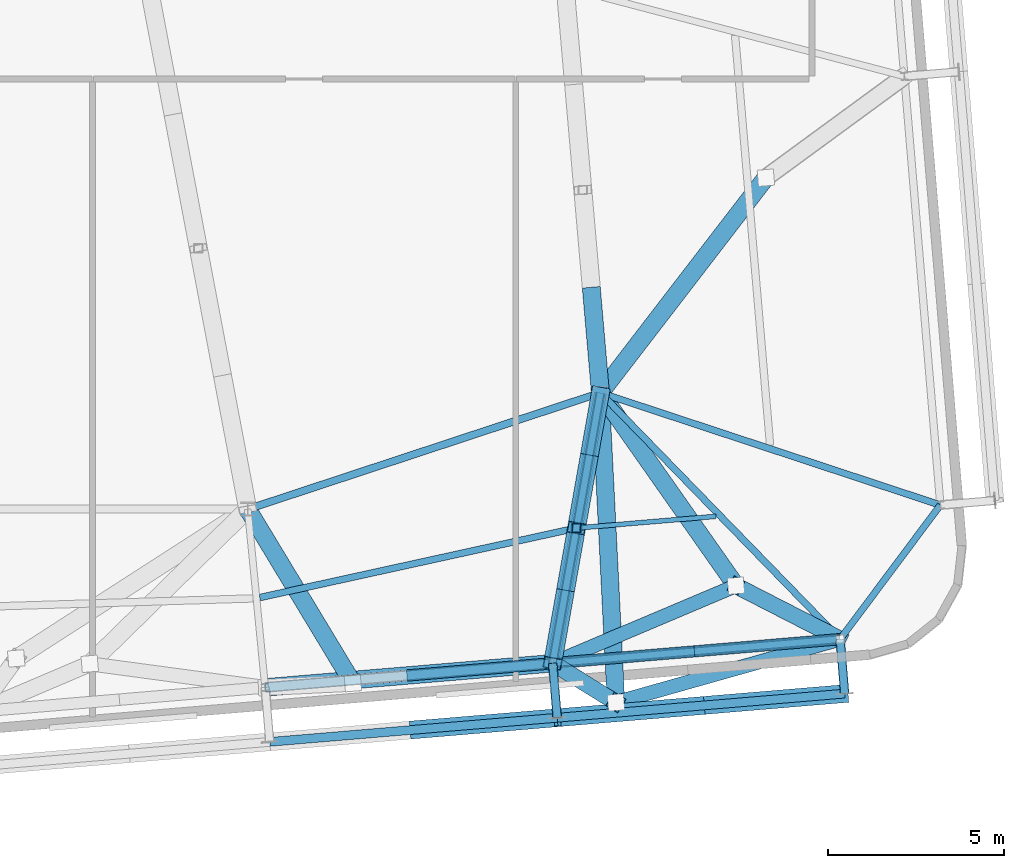
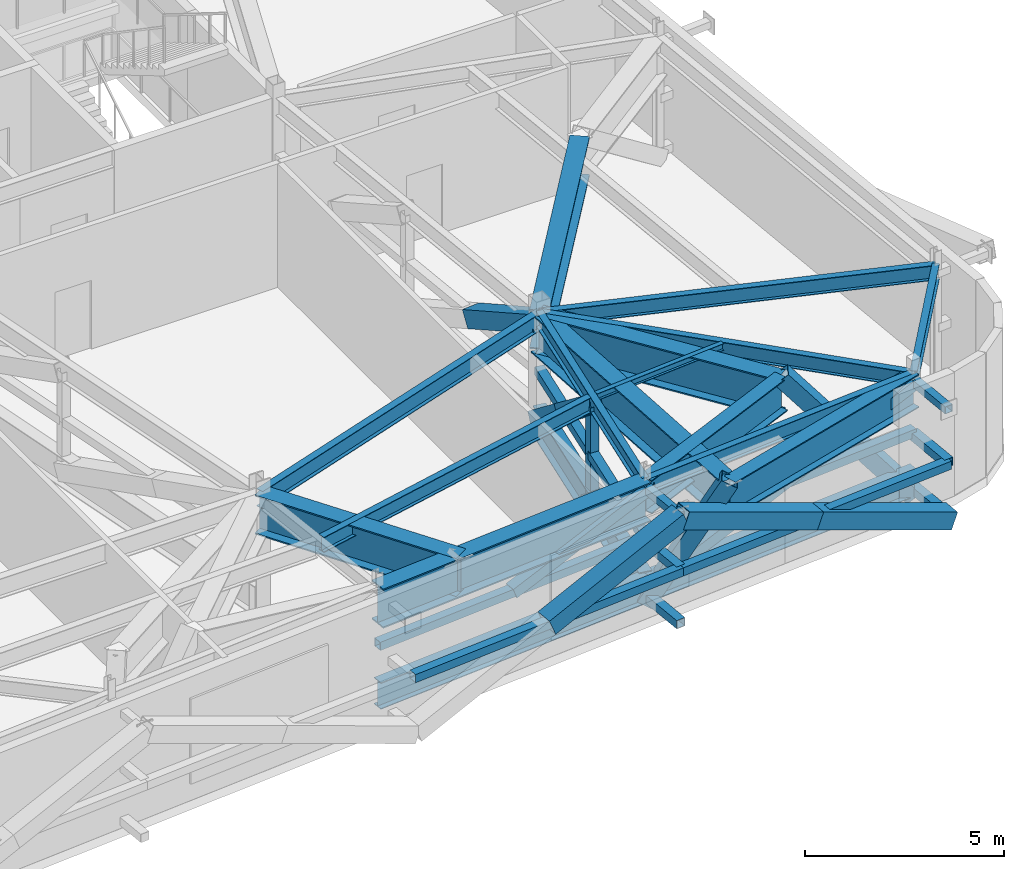
# One storey, part 11 of 26: 29 members, 15 beams.
"""IFC4 building model written with IfcOpenShell, lengths in metres."""

from ifc_helpers import new_model, si_unit, direction, frame, origin, origin_2d, place, context, subcontext, project, spatial, hollow_rectangle, i_section, extrude, source, transform, mapped, material, material_profile, profile_set, type_object, element, save


model = new_model("IFC4")

# Units and contexts
model_context = context("Model", 3, precision=1e-05, world=origin(), true_north=direction((0.0, 1.0)))
body_context = subcontext(model_context, "Body", "Model", "MODEL_VIEW")
ifc_project = project(units=[si_unit("LENGTHUNIT", "METRE"), si_unit("AREAUNIT", "SQUARE_METRE"), si_unit("VOLUMEUNIT", "CUBIC_METRE"), si_unit("PLANEANGLEUNIT", "RADIAN"), si_unit("MASSUNIT", "GRAM", prefix="KILO")], contexts=[model_context])

# Site, building, storey
site_placement = place(None, origin())
site = spatial("IfcSite", under=ifc_project, at=site_placement, CompositionType="ELEMENT")
building_placement = place(site_placement, origin())
building = spatial("IfcBuilding", under=site, at=building_placement, Name="Taldren Reach Tower", CompositionType="ELEMENT")
storey_placement = place(building_placement, frame((0.0, 0.0, 207.199951171875)))
storey = spatial("IfcBuildingStorey", under=building, at=storey_placement, Name="L63", CompositionType="ELEMENT", Elevation=207.199951171875)

# Beam
ifc_material_1 = material(Name="Steel Gr 350 (350PLUS)", Category="steel")
ifc_material_profile_1 = material_profile(ifc_material_1, i_section(OverallWidth=0.208984375, OverallDepth=0.532958984375, WebThickness=0.01025390625, FlangeThickness=0.015625, at=origin_2d()), Name="530UB92.4")
ifc_profile_set_1 = profile_set([ifc_material_profile_1], Name="Steel Gr 350 (350PLUS)")
beam_type_1 = type_object("IfcBeamType", Name="BM-UB530A", PredefinedType="BEAM", material=ifc_profile_set_1)
shared_shape_1 = source(origin(), body_context, "Body", "SweptSolid", [
    extrude(i_section(OverallWidth=0.208984375, OverallDepth=0.532958984375, WebThickness=0.01025390625, FlangeThickness=0.015625, at=origin_2d()), origin(), (0.0, 0.0, 1.0), 10.530517578125),
])
beam_1_placement = place(storey_placement, frame((42.0, 9.199951171875, 3.513427734375), z_axis=(0.949627269203, 0.313381635689, 0.0), x_axis=(-0.313381635689, 0.949627269203, 0.0)))
element("IfcBeam", 1, at=beam_1_placement, inside=storey, type_object=beam_type_1, Name="Core-spine girder L63-SP12", PredefinedType="BEAM", context=body_context, shape_type="MappedRepresentation", body=[
    mapped(shared_shape_1, transform((0.0, 0.0, 0.0), scale=1.0)),
])

# Members
ifc_material_2 = material(Name="Steel Gr 350 (C350L0)", Category="steel")
ifc_material_profile_2 = material_profile(ifc_material_2, hollow_rectangle(XDim=0.25, YDim=0.25, WallThickness=0.010009765625, at=origin_2d()), Name="250x250x10.0SHS")
ifc_profile_set_2 = profile_set([ifc_material_profile_2], Name="Steel Gr 350 (C350L0)")
member_type_1 = type_object("IfcMemberType", Name="MB-POST250", PredefinedType="POST", material=ifc_profile_set_2)
shared_shape_2 = source(origin(), body_context, "Body", "SweptSolid", [
    extrude(hollow_rectangle(XDim=0.25, YDim=0.25, WallThickness=0.010009765625, at=origin_2d()), origin(), (0.0, 0.0, 1.0), 1.5498046875),
])
for number, where, z_axis, x_axis, name in (
    (2, (58.796142578125, 5.516357421875, 0.219970703125), (0.083801560254, -0.996482462715, 0.0), (0.996482462715, 0.083801560254, 0.0), "Exoskeleton base diaphragm tie strut B4-S6 L63"),
    (3, (58.796142578125, 5.516357421875, 1.860107421875), (0.083801560254, -0.996482462715, 0.0), (0.996482462715, 0.083801560254, 0.0), "Exoskeleton mid-tier diaphragm tie B4-S6 L63"),
):
    element("IfcMember", number, at=place(storey_placement, frame(where, z_axis=z_axis, x_axis=x_axis)), inside=storey, type_object=member_type_1, Name=name, PredefinedType="POST", context=body_context, shape_type="MappedRepresentation", body=[
        mapped(shared_shape_2, transform((0.0, 0.0, 0.0), scale=1.0)),
    ])
shared_shape_3 = source(origin(), body_context, "Body", "SweptSolid", [
    extrude(hollow_rectangle(XDim=0.25, YDim=0.25, WallThickness=0.010009765625, at=origin_2d()), origin(), (0.0, 0.0, 1.0), 1.5048828125),
])
member_1_placement = place(storey_placement, frame((51.322509765625, 8.666015625, 1.955078125), z_axis=(0.0, 0.0, 1.0), x_axis=(1.0, 0.0, 0.0)))
element("IfcMember", 4, at=member_1_placement, inside=storey, type_object=member_type_1, Name="Outrigger Transfer Truss Vertical Post OT-E2 L63", PredefinedType="POST", context=body_context, shape_type="MappedRepresentation", body=[
    mapped(shared_shape_3, transform((0.0, 0.0, 0.0), scale=1.0)),
])
shared_shape_4 = source(origin(), body_context, "Body", "SweptSolid", [
    extrude(hollow_rectangle(XDim=0.25, YDim=0.25, WallThickness=0.010009765625, at=origin_2d()), origin(), (0.0, 0.0, 1.0), 1.505126953125),
])
member_2_placement = place(storey_placement, frame((51.322509765625, 8.666015625, 0.449951171875), z_axis=(0.0, 0.0, 1.0), x_axis=(1.0, 0.0, 0.0)))
element("IfcMember", 5, at=member_2_placement, inside=storey, type_object=member_type_1, Name="Outrigger Transfer Truss Vertical Post OT-E2 L63", PredefinedType="POST", context=body_context, shape_type="MappedRepresentation", body=[
    mapped(shared_shape_4, transform((0.0, 0.0, 0.0), scale=1.0)),
])
ifc_material_3 = material(Name="Steel Gr 450 (C450L0)", Category="steel")
ifc_material_profile_3 = material_profile(ifc_material_3, hollow_rectangle(XDim=0.510009765625, YDim=0.510009765625, WallThickness=0.02001953125, at=origin_2d()), Name="510x510x20.0SHS")
ifc_profile_set_3 = profile_set([ifc_material_profile_3], Name="Steel Gr 450 (C450L0)")
member_type_2 = type_object("IfcMemberType", Name="MB-EXO508", PredefinedType="BRACE", material=ifc_profile_set_3)
shared_shape_5 = source(origin(), body_context, "Body", "SweptSolid", [
    extrude(hollow_rectangle(XDim=0.510009765625, YDim=0.510009765625, WallThickness=0.02001953125, at=origin_2d()), origin(), (0.0, 0.0, 1.0), 3.254638671875),
])
member_3_placement = place(storey_placement, frame((51.75, 15.375, 1.955078125), z_axis=(0.076812991328, -0.883349400268, 0.462378201703), x_axis=(0.996240588196, 0.086629616365, 0.0)))
element("IfcMember", 6, at=member_3_placement, inside=storey, type_object=member_type_2, Name="Outrigger Transfer Truss Diagonal OT-E1B L63", PredefinedType="BRACE", context=body_context, shape_type="MappedRepresentation", body=[
    mapped(shared_shape_5, transform((0.0, 0.0, 0.0), scale=1.0)),
])
shared_shape_6 = source(origin(), body_context, "Body", "SweptSolid", [
    extrude(hollow_rectangle(XDim=0.25, YDim=0.25, WallThickness=0.010009765625, at=origin_2d()), origin(), (0.0, 0.0, 1.0), 1.550048828125),
])
for number, where, z_axis, x_axis, name in (
    (7, (50.644775390625, 4.83203125, 0.219970703125), (0.083788408178, -0.996483568683, 0.0), (0.996483568683, 0.083788408178, 0.0), "Exoskeleton base diaphragm tie strut B4-S5 L63"),
    (8, (50.644775390625, 4.83203125, 1.860107421875), (0.083788408178, -0.996483568683, 0.0), (0.996483568683, 0.083788408178, 0.0), "Exoskeleton mid-tier diaphragm tie B4-S5 L63"),
):
    element("IfcMember", number, at=place(storey_placement, frame(where, z_axis=z_axis, x_axis=x_axis)), inside=storey, type_object=member_type_1, Name=name, PredefinedType="POST", context=body_context, shape_type="MappedRepresentation", body=[
        mapped(shared_shape_6, transform((0.0, 0.0, 0.0), scale=1.0)),
    ])

# Beams
ifc_material_profile_4 = material_profile(ifc_material_1, i_section(OverallWidth=0.18994140625, OverallDepth=0.4541015625, WebThickness=0.008544921875, FlangeThickness=0.0126953125, at=origin_2d()), Name="460UB67.1")
ifc_profile_set_4 = profile_set([ifc_material_profile_4], Name="Steel Gr 350 (350PLUS)")
beam_type_2 = type_object("IfcBeamType", Name="SP-UB460B", PredefinedType="SPANDREL", material=ifc_profile_set_4)
shared_shape_7 = source(origin(), body_context, "Body", "SweptSolid", [
    extrude(i_section(OverallWidth=0.18994140625, OverallDepth=0.4541015625, WebThickness=0.008544921875, FlangeThickness=0.0126953125, at=origin_2d()), origin(), (0.0, 0.0, 1.0), 4.746337890625),
])
beam_2_placement = place(storey_placement, frame((58.796142578125, 5.516357421875, 3.552978515625), z_axis=(0.598797715541, 0.800900303323, 0.0), x_axis=(-0.800900303323, 0.598797715541, 0.0)))
element("IfcBeam", 9, at=beam_2_placement, inside=storey, type_object=beam_type_2, Name="Perimeter spandrel B4 S6-E1 L63", PredefinedType="SPANDREL", context=body_context, shape_type="MappedRepresentation", body=[
    mapped(shared_shape_7, transform((0.0, 0.0, 0.0), scale=1.0)),
])
shared_shape_8 = source(origin(), body_context, "Body", "SweptSolid", [
    extrude(i_section(OverallWidth=0.18994140625, OverallDepth=0.4541015625, WebThickness=0.008544921875, FlangeThickness=0.0126953125, at=origin_2d()), origin(), (0.0, 0.0, 1.0), 8.179931640625),
])
beam_3_placement = place(storey_placement, frame((50.644775390625, 4.83203125, 3.552978515625), z_axis=(0.996494523218, 0.083658025296, 0.0), x_axis=(-0.083658025296, 0.996494523218, 0.0)))
element("IfcBeam", 10, at=beam_3_placement, inside=storey, type_object=beam_type_2, Name="Perimeter spandrel B4 S5-S6 L63", PredefinedType="SPANDREL", context=body_context, shape_type="MappedRepresentation", body=[
    mapped(shared_shape_8, transform((0.0, 0.0, 0.0), scale=1.0)),
])
ifc_material_profile_5 = material_profile(ifc_material_1, i_section(OverallWidth=0.19091796875, OverallDepth=0.4599609375, WebThickness=0.010009765625, FlangeThickness=0.01611328125, at=origin_2d()), Name="460UB82.1")
ifc_profile_set_5 = profile_set([ifc_material_profile_5], Name="Steel Gr 350 (350PLUS)")
beam_type_3 = type_object("IfcBeamType", Name="BM-UB460A", PredefinedType="BEAM", material=ifc_profile_set_5)
shared_shape_9 = source(origin(), body_context, "Body", "SweptSolid", [
    extrude(i_section(OverallWidth=0.19091796875, OverallDepth=0.4599609375, WebThickness=0.010009765625, FlangeThickness=0.01611328125, at=origin_2d()), origin(), (0.0, 0.0, 1.0), 7.786865234375),
])
beam_4_placement = place(storey_placement, frame((52.0, 12.5, 3.550048828125), z_axis=(-0.174041097858, -0.984738389755, 0.0), x_axis=(0.984738389755, -0.174041097858, 0.0)))
element("IfcBeam", 11, at=beam_4_placement, inside=storey, type_object=beam_type_3, Name="Primary floor girder B4-S5 L63", PredefinedType="BEAM", context=body_context, shape_type="MappedRepresentation", body=[
    mapped(shared_shape_9, transform((0.0, 0.0, 0.0), scale=1.0)),
])
shared_shape_10 = source(origin(), body_context, "Body", "SweptSolid", [
    extrude(i_section(OverallWidth=0.19091796875, OverallDepth=0.4599609375, WebThickness=0.010009765625, FlangeThickness=0.01611328125, at=origin_2d()), origin(), (0.0, 0.0, 1.0), 9.74462890625),
])
beam_5_placement = place(storey_placement, frame((52.0, 12.5, 3.550048828125), z_axis=(0.697420698235, -0.716661963323, 0.0), x_axis=(0.716661963323, 0.697420698235, 0.0)))
element("IfcBeam", 12, at=beam_5_placement, inside=storey, type_object=beam_type_3, Name="Primary floor girder B4-S6 L63", PredefinedType="BEAM", context=body_context, shape_type="MappedRepresentation", body=[
    mapped(shared_shape_10, transform((0.0, 0.0, 0.0), scale=1.0)),
])
shared_shape_11 = source(origin(), body_context, "Body", "SweptSolid", [
    extrude(i_section(OverallWidth=0.19091796875, OverallDepth=0.4599609375, WebThickness=0.010009765625, FlangeThickness=0.01611328125, at=origin_2d()), origin(), (0.0, 0.0, 1.0), 10.14990234375),
])
beam_6_placement = place(storey_placement, frame((52.0, 12.5, 3.550048828125), z_axis=(0.949576668396, -0.313534927619, 0.0), x_axis=(0.313534927619, 0.949576668396, 0.0)))
element("IfcBeam", 13, at=beam_6_placement, inside=storey, type_object=beam_type_3, Name="Primary floor girder B4-E1 L63", PredefinedType="BEAM", context=body_context, shape_type="MappedRepresentation", body=[
    mapped(shared_shape_11, transform((0.0, 0.0, 0.0), scale=1.0)),
])
shared_shape_12 = source(origin(), body_context, "Body", "SweptSolid", [
    extrude(i_section(OverallWidth=0.19091796875, OverallDepth=0.4599609375, WebThickness=0.010009765625, FlangeThickness=0.01611328125, at=origin_2d()), origin(), (0.0, 0.0, 1.0), 9.09228515625),
])
beam_7_placement = place(storey_placement, frame((42.3408203125, 6.6943359375, 3.550048828125), z_axis=(0.97674420602, 0.214407919647, 0.0), x_axis=(-0.214407919647, 0.97674420602, 0.0)))
element("IfcBeam", 14, at=beam_7_placement, inside=storey, type_object=beam_type_3, Name="Secondary floor beam B4 J4 L63", PredefinedType="BEAM", context=body_context, shape_type="MappedRepresentation", body=[
    mapped(shared_shape_12, transform((0.0, 0.0, 0.0), scale=1.0)),
])
ifc_material_4 = material(Name="Steel Gr 300 (300PLUS, 300 MPa)", Category="steel")
ifc_material_profile_6 = material_profile(ifc_material_4, i_section(OverallWidth=0.134033203125, OverallDepth=0.20703125, WebThickness=0.00634765625, FlangeThickness=0.009521484375, at=origin_2d()), Name="200UB29.8")
ifc_profile_set_6 = profile_set([ifc_material_profile_6], Name="Steel Gr 300 (300PLUS, 300 MPa)")
beam_type_4 = type_object("IfcBeamType", Name="JS-UB200", PredefinedType="JOIST", material=ifc_profile_set_6)
shared_shape_13 = source(origin(), body_context, "Body", "SweptSolid", [
    extrude(i_section(OverallWidth=0.134033203125, OverallDepth=0.20703125, WebThickness=0.00634765625, FlangeThickness=0.009521484375, at=origin_2d()), origin(), (0.0, 0.0, 1.0), 3.86767578125),
])
beam_8_placement = place(storey_placement, frame((51.4208984375, 8.67431640625, 3.676513671875), z_axis=(0.996495950743, 0.083641019557, 0.0), x_axis=(-0.083641019557, 0.996495950743, 0.0)))
element("IfcBeam", 15, at=beam_8_placement, inside=storey, type_object=beam_type_4, Name="Secondary floor joist B4 J5 L63", PredefinedType="JOIST", context=body_context, shape_type="MappedRepresentation", body=[
    mapped(shared_shape_13, transform((0.0, 0.0, 0.0), scale=1.0)),
])

# Members
ifc_material_profile_7 = material_profile(ifc_material_3, hollow_rectangle(XDim=0.219970703125, YDim=0.219970703125, WallThickness=0.00830078125, at=origin_2d()), Name="220x220x8.2SHS")
ifc_profile_set_7 = profile_set([ifc_material_profile_7], Name="Steel Gr 450 (C450L0)")
member_type_3 = type_object("IfcMemberType", Name="MB-TIE219", PredefinedType="STRUT", material=ifc_profile_set_7)
shared_shape_14 = source(origin(), body_context, "Body", "SweptSolid", [
    extrude(hollow_rectangle(XDim=0.219970703125, YDim=0.219970703125, WallThickness=0.00830078125, at=origin_2d()), origin(), (0.0, 0.0, 1.0), 1.5498046875),
])
member_4_placement = place(storey_placement, frame((58.796142578125, 5.516357421875, 3.5), z_axis=(0.083801560254, -0.996482462715, 0.0), x_axis=(0.996482462715, 0.083801560254, 0.0)))
element("IfcMember", 16, at=member_4_placement, inside=storey, type_object=member_type_3, Name="Exoskeleton diaphragm tie strut B4-S6 L63", PredefinedType="STRUT", context=body_context, shape_type="MappedRepresentation", body=[
    mapped(shared_shape_14, transform((0.0, 0.0, 0.0), scale=1.0)),
])
shared_shape_15 = source(origin(), body_context, "Body", "SweptSolid", [
    extrude(hollow_rectangle(XDim=0.219970703125, YDim=0.219970703125, WallThickness=0.00830078125, at=origin_2d()), origin(), (0.0, 0.0, 1.0), 1.550048828125),
])
member_5_placement = place(storey_placement, frame((50.644775390625, 4.83203125, 3.5), z_axis=(0.083788408178, -0.996483568683, 0.0), x_axis=(0.996483568683, 0.083788408178, 0.0)))
element("IfcMember", 17, at=member_5_placement, inside=storey, type_object=member_type_3, Name="Exoskeleton diaphragm tie strut B4-S5 L63", PredefinedType="STRUT", context=body_context, shape_type="MappedRepresentation", body=[
    mapped(shared_shape_15, transform((0.0, 0.0, 0.0), scale=1.0)),
])
shared_shape_16 = source(origin(), body_context, "Body", "SweptSolid", [
    extrude(hollow_rectangle(XDim=0.25, YDim=0.25, WallThickness=0.010009765625, at=origin_2d()), origin(), (0.0, 0.0, 1.0), 8.18017578125),
])
member_6_placement = place(storey_placement, frame((50.774658203125, 3.287353515625, 1.860107421875), z_axis=(0.996492034688, 0.083687662192, 0.0), x_axis=(-0.083687662192, 0.996492034688, 0.0)))
element("IfcMember", 18, at=member_6_placement, inside=storey, type_object=member_type_1, Name="Exoskeleton mid-height ring chord B4-S5 L63", PredefinedType="POST", context=body_context, shape_type="MappedRepresentation", body=[
    mapped(shared_shape_16, transform((0.0, 0.0, 0.0), scale=1.0)),
])
shared_shape_17 = source(origin(), body_context, "Body", "SweptSolid", [
    extrude(hollow_rectangle(XDim=0.25, YDim=0.25, WallThickness=0.010009765625, at=origin_2d()), origin(), (0.0, 0.0, 1.0), 8.179931640625),
])
for number, where, z_axis, x_axis, name in (
    (19, (42.49365234375, 4.1474609375, 1.955078125), (0.99649182565, 0.08369015123, 0.0), (-0.08369015123, 0.99649182565, 0.0), "Belt Truss Transfer Mid Chord S4 L63"),
    (20, (50.644775390625, 4.83203125, 1.955078125), (0.996494523218, 0.083658025296, 0.0), (-0.083658025296, 0.996494523218, 0.0), "Belt Truss Transfer Mid Chord S5 L63"),
    (21, (42.623291015625, 2.60302734375, 1.860107421875), (0.996494523218, 0.083658025296, 0.0), (-0.083658025296, 0.996494523218, 0.0), "Exoskeleton mid-height ring chord B4-S4 L63"),
):
    element("IfcMember", number, at=place(storey_placement, frame(where, z_axis=z_axis, x_axis=x_axis)), inside=storey, type_object=member_type_1, Name=name, PredefinedType="POST", context=body_context, shape_type="MappedRepresentation", body=[
        mapped(shared_shape_17, transform((0.0, 0.0, 0.0), scale=1.0)),
    ])

# Beams
ifc_material_profile_8 = material_profile(ifc_material_1, i_section(OverallWidth=0.5, OverallDepth=1.199951171875, WebThickness=0.01611328125, FlangeThickness=0.0400390625, at=origin_2d()), Name="1200WB455")
ifc_profile_set_8 = profile_set([ifc_material_profile_8], Name="Steel Gr 350 (350PLUS)")
beam_type_5 = type_object("IfcBeamType", Name="BM-WB1200", PredefinedType="BEAM", material=ifc_profile_set_8)
shared_shape_18 = source(origin(), body_context, "Body", "SweptSolid", [
    extrude(i_section(OverallWidth=0.5, OverallDepth=1.199951171875, WebThickness=0.01611328125, FlangeThickness=0.0400390625, at=origin_2d()), origin(), (0.0, 0.0, 1.0), 8.179931640625),
])
beam_9_placement = place(storey_placement, frame((42.49365234375, 4.1474609375, 3.179931640625), z_axis=(0.99649182565, 0.08369015123, 0.0), x_axis=(-0.08369015123, 0.99649182565, 0.0)))
element("IfcBeam", 22, at=beam_9_placement, inside=storey, type_object=beam_type_5, Name="Belt Truss Transfer Tie Girder TG-B5-S5B on L63", PredefinedType="SPANDREL", context=body_context, shape_type="MappedRepresentation", body=[
    mapped(shared_shape_18, transform((0.0, 0.0, 0.0), scale=1.0)),
])
shared_shape_19 = source(origin(), body_context, "Body", "SweptSolid", [
    extrude(i_section(OverallWidth=0.5, OverallDepth=1.199951171875, WebThickness=0.01611328125, FlangeThickness=0.0400390625, at=origin_2d()), origin(), (0.0, 0.0, 1.0), 5.761474609375),
])
beam_10_placement = place(storey_placement, frame((42.0, 9.199951171875, 3.179931640625), z_axis=(0.517259852514, -0.855828396922, 0.0), x_axis=(0.855828396922, 0.517259852514, 0.0)))
element("IfcBeam", 23, at=beam_10_placement, inside=storey, type_object=beam_type_5, Name="Belt Truss Transfer Girder TG-B5-S5A on L63", PredefinedType="BEAM", context=body_context, shape_type="MappedRepresentation", body=[
    mapped(shared_shape_19, transform((0.0, 0.0, 0.0), scale=1.0)),
])

# Member
ifc_material_profile_9 = material_profile(ifc_material_3, hollow_rectangle(XDim=0.4599609375, YDim=0.4599609375, WallThickness=0.01611328125, at=origin_2d()), Name="460x460x16.0SHS")
ifc_profile_set_9 = profile_set([ifc_material_profile_9], Name="Steel Gr 450 (C450L0)")
member_type_4 = type_object("IfcMemberType", Name="MB-EXO457", PredefinedType="BRACE", material=ifc_profile_set_9)
shared_shape_20 = source(origin(), body_context, "Body", "SweptSolid", [
    extrude(hollow_rectangle(XDim=0.4599609375, YDim=0.4599609375, WallThickness=0.01611328125, at=origin_2d()), origin(), (0.0, 0.0, 1.0), 4.312255859375),
])
member_7_placement = place(storey_placement, frame((50.644775390625, 4.83203125, 0.02001953125), z_axis=(0.416355202248, -0.257603504247, 0.871945399759), x_axis=(0.526147590129, 0.850393269847, 0.0)))
element("IfcMember", 24, at=member_7_placement, inside=storey, type_object=member_type_4, Name="Outrigger Belt Truss Transfer Strut TS-B5-S6 L63", PredefinedType="BRACE", context=body_context, shape_type="MappedRepresentation", body=[
    mapped(shared_shape_20, transform((0.0, 0.0, 0.0), scale=1.0)),
])

# Beams
shared_shape_21 = source(origin(), body_context, "Body", "SweptSolid", [
    extrude(i_section(OverallWidth=0.5, OverallDepth=1.199951171875, WebThickness=0.01611328125, FlangeThickness=0.0400390625, at=origin_2d()), origin(), (0.0, 0.0, 1.0), 8.789794921875),
])
beam_11_placement = place(storey_placement, frame((52.0, 12.5, 3.179931640625), z_axis=(0.050078917367, -0.998745263836, 0.0), x_axis=(0.998745263836, 0.050078917367, 0.0)))
element("IfcBeam", 25, at=beam_11_placement, inside=storey, type_object=beam_type_5, Name="Belt Truss Transfer Girder TG-B5-S6A on L63", PredefinedType="BEAM", context=body_context, shape_type="MappedRepresentation", body=[
    mapped(shared_shape_21, transform((0.0, 0.0, 0.0), scale=1.0)),
])
ifc_material_profile_10 = material_profile(ifc_material_1, i_section(OverallWidth=0.39990234375, OverallDepth=1.02392578125, WebThickness=0.01611328125, FlangeThickness=0.031982421875, at=origin_2d()), Name="1000WB322")
ifc_profile_set_10 = profile_set([ifc_material_profile_10], Name="Steel Gr 350 (350PLUS)")
beam_type_6 = type_object("IfcBeamType", Name="BM-WB1000", PredefinedType="BEAM", material=ifc_profile_set_10)
shared_shape_22 = source(origin(), body_context, "Body", "SweptSolid", [
    extrude(i_section(OverallWidth=0.39990234375, OverallDepth=1.02392578125, WebThickness=0.01611328125, FlangeThickness=0.031982421875, at=origin_2d()), origin(), (0.0, 0.0, 1.0), 6.6044921875),
])
beam_12_placement = place(storey_placement, frame((58.796142578125, 5.516357421875, 3.26806640625), z_axis=(-0.962352293426, -0.27180519373, 0.0), x_axis=(0.27180519373, -0.962352293426, 0.0)))
element("IfcBeam", 26, at=beam_12_placement, inside=storey, type_object=beam_type_6, Name="Belt Truss Transfer Tie Girder TG-B5-S6B on L63", PredefinedType="BEAM", context=body_context, shape_type="MappedRepresentation", body=[
    mapped(shared_shape_22, transform((0.0, 0.0, 0.0), scale=1.0)),
])

# Member
shared_shape_23 = source(origin(), body_context, "Body", "SweptSolid", [
    extrude(hollow_rectangle(XDim=0.4599609375, YDim=0.4599609375, WallThickness=0.01611328125, at=origin_2d()), origin(), (0.0, 0.0, 1.0), 5.015869140625),
])
member_8_placement = place(storey_placement, frame((58.796142578125, 5.516357421875, 0.02001953125), z_axis=(-0.588987482263, 0.301964989667, 0.749607157618), x_axis=(-0.456221097144, -0.889866456566, 0.0)))
element("IfcMember", 27, at=member_8_placement, inside=storey, type_object=member_type_4, Name="Outrigger Belt Truss Transfer Strut TS-B5-E1 L63", PredefinedType="BRACE", context=body_context, shape_type="MappedRepresentation", body=[
    mapped(shared_shape_23, transform((0.0, 0.0, 0.0), scale=1.0)),
])

# Beams
shared_shape_24 = source(origin(), body_context, "Body", "SweptSolid", [
    extrude(i_section(OverallWidth=0.5, OverallDepth=1.199951171875, WebThickness=0.01611328125, FlangeThickness=0.0400390625, at=origin_2d()), origin(), (0.0, 0.0, 1.0), 6.68359375),
])
beam_13_placement = place(storey_placement, frame((52.0, 12.5, 3.179931640625), z_axis=(0.574817292651, -0.818281785249, 0.0), x_axis=(0.818281785249, 0.574817292651, 0.0)))
element("IfcBeam", 28, at=beam_13_placement, inside=storey, type_object=beam_type_5, Name="Belt Truss Transfer Girder TG-B5-E1A on L63", PredefinedType="BEAM", context=body_context, shape_type="MappedRepresentation", body=[
    mapped(shared_shape_24, transform((0.0, 0.0, 0.0), scale=1.0)),
])
shared_shape_25 = source(origin(), body_context, "Body", "SweptSolid", [
    extrude(i_section(OverallWidth=0.39990234375, OverallDepth=1.02392578125, WebThickness=0.01611328125, FlangeThickness=0.031982421875, at=origin_2d()), origin(), (0.0, 0.0, 1.0), 5.64306640625),
])
beam_14_placement = place(storey_placement, frame((50.644775390625, 4.83203125, 3.26806640625), z_axis=(0.92095232255, 0.389675274543, 0.0), x_axis=(-0.389675274543, 0.92095232255, 0.0)))
element("IfcBeam", 29, at=beam_14_placement, inside=storey, type_object=beam_type_6, Name="Belt Truss Transfer Tie Girder TG-B5-E1B on L63", PredefinedType="BEAM", context=body_context, shape_type="MappedRepresentation", body=[
    mapped(shared_shape_25, transform((0.0, 0.0, 0.0), scale=1.0)),
])
shared_shape_26 = source(origin(), body_context, "Body", "SweptSolid", [
    extrude(i_section(OverallWidth=0.5, OverallDepth=1.199951171875, WebThickness=0.01611328125, FlangeThickness=0.0400390625, at=origin_2d()), origin(), (0.0, 0.0, 1.0), 7.6953125),
])
beam_15_placement = place(storey_placement, frame((52.0, 12.5, 3.179931640625), z_axis=(0.609646363361, 0.792673521471, 0.0), x_axis=(-0.792673521471, 0.609646363361, 0.0)))
element("IfcBeam", 30, at=beam_15_placement, inside=storey, type_object=beam_type_5, Name="Belt Truss Transfer Tie Girder TG-B5-E2B on L63", PredefinedType="BEAM", context=body_context, shape_type="MappedRepresentation", body=[
    mapped(shared_shape_26, transform((0.0, 0.0, 0.0), scale=1.0)),
])

# Members
ifc_material_profile_11 = material_profile(ifc_material_1, i_section(OverallWidth=0.35009765625, OverallDepth=0.916015625, WebThickness=0.013916015625, FlangeThickness=0.028076171875, at=origin_2d()), Name="900WB257")
ifc_profile_set_11 = profile_set([ifc_material_profile_11], Name="Steel Gr 350 (350PLUS)")
member_type_5 = type_object("IfcMemberType", Name="MB-CH900", PredefinedType="CHORD", material=ifc_profile_set_11)
shared_shape_27 = source(origin(), body_context, "Body", "SweptSolid", [
    extrude(i_section(OverallWidth=0.35009765625, OverallDepth=0.916015625, WebThickness=0.013916015625, FlangeThickness=0.028076171875, at=origin_2d()), origin(), (0.0, 0.0, 1.0), 7.786865234375),
])
member_9_placement = place(storey_placement, frame((52.0, 12.5, 0.449951171875), z_axis=(-0.174041097858, -0.984738389755, 0.0), x_axis=(0.984738389755, -0.174041097858, 0.0)))
element("IfcMember", 31, at=member_9_placement, inside=storey, type_object=member_type_5, Name="Outrigger Transfer Truss Bottom Chord OT-E2 L63", PredefinedType="CHORD", context=body_context, shape_type="MappedRepresentation", body=[
    mapped(shared_shape_27, transform((0.0, 0.0, 0.0), scale=1.0)),
])
shared_shape_28 = source(origin(), body_context, "Body", "SweptSolid", [
    extrude(hollow_rectangle(XDim=0.25, YDim=0.25, WallThickness=0.010009765625, at=origin_2d()), origin(), (0.0, 0.0, 1.0), 7.786865234375),
])
member_10_placement = place(storey_placement, frame((52.0, 12.5, 1.955078125), z_axis=(-0.174041097858, -0.984738389755, 0.0), x_axis=(0.984738389755, -0.174041097858, 0.0)))
element("IfcMember", 32, at=member_10_placement, inside=storey, type_object=member_type_1, Name="Outrigger Transfer Truss Mid Chord OT-E2 L63", PredefinedType="POST", context=body_context, shape_type="MappedRepresentation", body=[
    mapped(shared_shape_28, transform((0.0, 0.0, 0.0), scale=1.0)),
])
shared_shape_29 = source(origin(), body_context, "Body", "SweptSolid", [
    extrude(hollow_rectangle(XDim=0.510009765625, YDim=0.510009765625, WallThickness=0.02001953125, at=origin_2d()), origin(), (0.0, 0.0, 1.0), 2.460693359375),
])
for number, where, z_axis, x_axis, name in (
    (33, (52.0, 12.5, 0.449951171875), (-0.137711103999, -0.779040049423, 0.611663513078), (0.984733015864, -0.174071501021, 0.0), "Outrigger Transfer Truss Diagonal OT-E2A L63"),
    (34, (51.322509765625, 8.666015625, 0.449951171875), (-0.137711103999, -0.779040049423, 0.611663513078), (0.984733015864, -0.174071501021, 0.0), "Outrigger Transfer Truss Diagonal OT-E2B L63"),
):
    element("IfcMember", number, at=place(storey_placement, frame(where, z_axis=z_axis, x_axis=x_axis)), inside=storey, type_object=member_type_2, Name=name, PredefinedType="BRACE", context=body_context, shape_type="MappedRepresentation", body=[
        mapped(shared_shape_29, transform((0.0, 0.0, 0.0), scale=1.0)),
    ])
shared_shape_30 = source(origin(), body_context, "Body", "SweptSolid", [
    extrude(hollow_rectangle(XDim=0.510009765625, YDim=0.510009765625, WallThickness=0.02001953125, at=origin_2d()), origin(), (0.0, 0.0, 1.0), 2.46044921875),
])
for number, where, z_axis, x_axis, name in (
    (35, (51.6611328125, 10.5830078125, 1.955078125), (-0.137622119677, -0.779097969507, 0.611609766179), (0.984754506146, -0.173949885383, 0.0), "Outrigger Transfer Truss Diagonal OT-E2A L63"),
    (36, (50.983642578125, 6.7490234375, 1.955078125), (-0.137719461286, -0.779087327103, 0.611601411648), (0.984733015864, -0.174071501021, 0.0), "Outrigger Transfer Truss Diagonal OT-E2B L63"),
):
    element("IfcMember", number, at=place(storey_placement, frame(where, z_axis=z_axis, x_axis=x_axis)), inside=storey, type_object=member_type_2, Name=name, PredefinedType="BRACE", context=body_context, shape_type="MappedRepresentation", body=[
        mapped(shared_shape_30, transform((0.0, 0.0, 0.0), scale=1.0)),
    ])
ifc_material_profile_12 = material_profile(ifc_material_3, hollow_rectangle(XDim=0.324951171875, YDim=0.324951171875, WallThickness=0.0126953125, at=origin_2d()), Name="325x325x12.7SHS")
ifc_profile_set_12 = profile_set([ifc_material_profile_12], Name="Steel Gr 450 (C450L0)")
member_type_6 = type_object("IfcMemberType", Name="MB-BR324", PredefinedType="BRACE", material=ifc_profile_set_12)
shared_shape_31 = source(origin(), body_context, "Body", "SweptSolid", [
    extrude(hollow_rectangle(XDim=0.324951171875, YDim=0.324951171875, WallThickness=0.0126953125, at=origin_2d()), origin(), (0.0, 0.0, 1.0), 4.358154296875),
])
for number, where, z_axis, x_axis, name in (
    (37, (50.644775390625, 4.83203125, 0.449951171875), (0.935179447034, 0.078538491958, 0.34535649281), (-0.083687662192, 0.996492034688, 0.0), "Belt Truss Transfer Diagonal S5 L63"),
    (38, (54.720458984375, 5.17431640625, 1.955078125), (0.935201651782, 0.078484336537, 0.345308672672), (-0.083628388178, 0.996497010879, 0.0), "Belt Truss Transfer Diagonal S5 L63"),
):
    element("IfcMember", number, at=place(storey_placement, frame(where, z_axis=z_axis, x_axis=x_axis)), inside=storey, type_object=member_type_6, Name=name, PredefinedType="BRACE", context=body_context, shape_type="MappedRepresentation", body=[
        mapped(shared_shape_31, transform((0.0, 0.0, 0.0), scale=1.0)),
    ])
ifc_material_profile_13 = material_profile(ifc_material_1, i_section(OverallWidth=0.300048828125, OverallDepth=0.81591796875, WebThickness=0.011962890625, FlangeThickness=0.02392578125, at=origin_2d()), Name="800WB192")
ifc_profile_set_13 = profile_set([ifc_material_profile_13], Name="Steel Gr 350 (350PLUS)")
member_type_7 = type_object("IfcMemberType", Name="MB-CH800", PredefinedType="CHORD", material=ifc_profile_set_13)
shared_shape_32 = source(origin(), body_context, "Body", "SweptSolid", [
    extrude(i_section(OverallWidth=0.300048828125, OverallDepth=0.81591796875, WebThickness=0.011962890625, FlangeThickness=0.02392578125, at=origin_2d()), origin(), (0.0, 0.0, 1.0), 8.179931640625),
])
for number, where, z_axis, x_axis, name in (
    (39, (42.49365234375, 4.1474609375, 0.449951171875), (0.99649182565, 0.08369015123, 0.0), (-0.08369015123, 0.99649182565, 0.0), "Belt Truss Transfer Bottom Chord S4 L63"),
    (40, (50.644775390625, 4.83203125, 0.449951171875), (0.996494523218, 0.083658025296, 0.0), (-0.083658025296, 0.996494523218, 0.0), "Belt Truss Transfer Bottom Chord S5 L63"),
):
    element("IfcMember", number, at=place(storey_placement, frame(where, z_axis=z_axis, x_axis=x_axis)), inside=storey, type_object=member_type_7, Name=name, PredefinedType="CHORD", context=body_context, shape_type="MappedRepresentation", body=[
        mapped(shared_shape_32, transform((0.0, 0.0, 0.0), scale=1.0)),
    ])
shared_shape_33 = source(origin(), body_context, "Body", "SweptSolid", [
    extrude(hollow_rectangle(XDim=0.324951171875, YDim=0.324951171875, WallThickness=0.0126953125, at=origin_2d()), origin(), (0.0, 0.0, 1.0), 4.35791015625),
])
member_11_placement = place(storey_placement, frame((46.5693359375, 4.48974609375, 1.955078125), z_axis=(0.935190512762, 0.078544126214, 0.345325245352), x_axis=(-0.083692640416, 0.996491616593, 0.0)))
element("IfcMember", 41, at=member_11_placement, inside=storey, type_object=member_type_6, Name="Belt Truss Transfer Diagonal S4 L63", PredefinedType="BRACE", context=body_context, shape_type="MappedRepresentation", body=[
    mapped(shared_shape_33, transform((0.0, 0.0, 0.0), scale=1.0)),
])
shared_shape_34 = source(origin(), body_context, "Body", "SweptSolid", [
    extrude(hollow_rectangle(XDim=0.510009765625, YDim=0.510009765625, WallThickness=0.02001953125, at=origin_2d()), origin(), (0.0, 0.0, 1.0), 4.406494140625),
])
for number, where, z_axis, x_axis, name in (
    (42, (46.698974609375, 2.945068359375, 1.860107421875), (0.924916753786, 0.077676607692, 0.372149624726), (-0.083687662192, 0.996492034688, 0.0), "Exoskeleton Diagrid Brace B4-S4 L63"),
    (43, (54.850341796875, 3.629638671875, 1.860107421875), (-0.924916753786, -0.077676607692, 0.372149624726), (0.083687662192, -0.996492034688, 0.0), "Exoskeleton Diagrid Brace B4-S5 L63"),
):
    element("IfcMember", number, at=place(storey_placement, frame(where, z_axis=z_axis, x_axis=x_axis)), inside=storey, type_object=member_type_2, Name=name, PredefinedType="BRACE", context=body_context, shape_type="MappedRepresentation", body=[
        mapped(shared_shape_34, transform((0.0, 0.0, 0.0), scale=1.0)),
    ])
shared_shape_35 = source(origin(), body_context, "Body", "SweptSolid", [
    extrude(hollow_rectangle(XDim=0.510009765625, YDim=0.510009765625, WallThickness=0.02001953125, at=origin_2d()), origin(), (0.0, 0.0, 1.0), 4.40673828125),
])
member_12_placement = place(storey_placement, frame((58.926025390625, 3.971923828125, 0.219970703125), z_axis=(-0.924897682439, -0.077675006037, 0.372197354177), x_axis=(0.083687662192, -0.996492034688, 0.0)))
element("IfcMember", 44, at=member_12_placement, inside=storey, type_object=member_type_2, Name="Exoskeleton Diagrid Brace B4-S5 L63", PredefinedType="BRACE", context=body_context, shape_type="MappedRepresentation", body=[
    mapped(shared_shape_35, transform((0.0, 0.0, 0.0), scale=1.0)),
])

save(model, "model.ifc")
